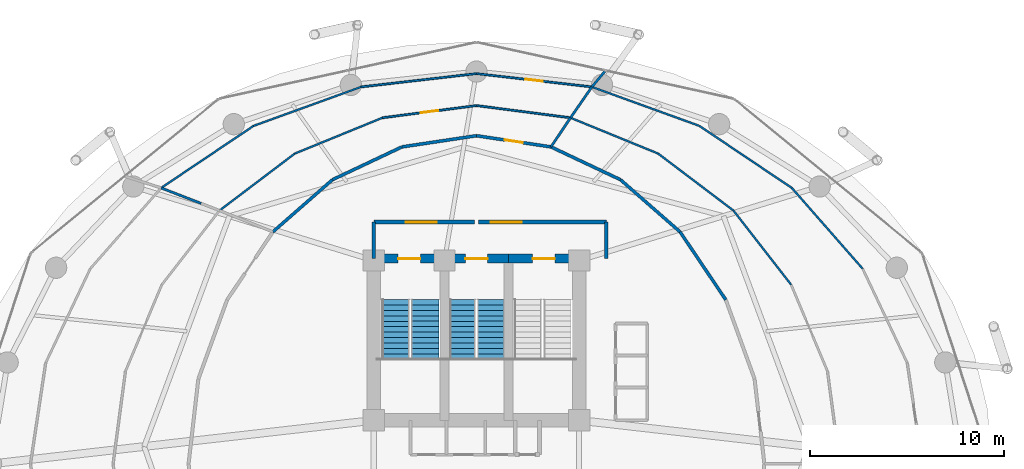
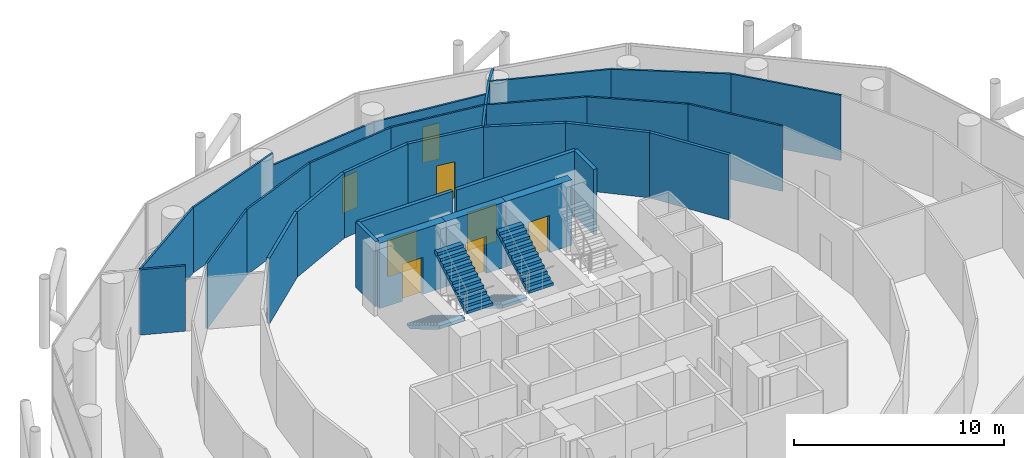
# One storey, part 24 of 26: 32 walls, 8 doors, 4 stair flights, 8 openings, 2 elements without a shape of their own.
"""IFC4 building model written with IfcOpenShell, lengths in metres."""

from ifc_helpers import new_model, si_unit, direction, frame, frame_2d, origin, place, context, subcontext, project, spatial, polyline, rectangle, outline, extrude, material, layer, layer_set, type_object, element, fill, aggregate, save


model = new_model("IFC4")

# Units and contexts
model_context = context("Model", 3, precision=1e-05, world=origin(), true_north=direction((0.0, 1.0)))
body_context = subcontext(model_context, "Body", "Model", "MODEL_VIEW")
ifc_project = project(units=[si_unit("LENGTHUNIT", "METRE"), si_unit("AREAUNIT", "SQUARE_METRE"), si_unit("VOLUMEUNIT", "CUBIC_METRE"), si_unit("PLANEANGLEUNIT", "RADIAN"), si_unit("MASSUNIT", "GRAM", prefix="KILO")], contexts=[model_context])

# Site, building, storey
site_placement = place(None, origin())
site = spatial("IfcSite", under=ifc_project, at=site_placement, CompositionType="ELEMENT")
building_placement = place(site_placement, origin())
building = spatial("IfcBuilding", under=site, at=building_placement, Name="Nuhasar Tower", CompositionType="ELEMENT")
storey_placement = place(building_placement, frame((0.0, 0.0, 97.949951171875)))
storey = spatial("IfcBuildingStorey", under=building, at=storey_placement, Name="L23", CompositionType="ELEMENT", Elevation=97.949951171875)

# Wall, opening, door
ifc_material_1 = material(Name="Concrete C50/60", Category="concrete")
ifc_layer_1 = layer(ifc_material_1, 0.449951171875)
ifc_layer_set_1 = layer_set([ifc_layer_1], Name="Concrete C50/60")
wall_type_1 = type_object("IfcWallType", Name="WL-CORE-450", PredefinedType="SHEAR", material=ifc_layer_set_1)
wall_1_placement = place(storey_placement, frame((37.35009765625, 37.39990234375, 0.0), z_axis=(0.0, 0.0, 1.0), x_axis=(-1.0, 0.0, 0.0)))
wall_1 = element("IfcWall", 1, at=wall_1_placement, inside=storey, type_object=wall_type_1, Name="L23 Stairwell Shear Wall ST01-N", PredefinedType="SHEAR", context=body_context, shape_type="SweptSolid", body=[
    extrude(rectangle(XDim=3.650146484375, YDim=0.449951171875, at=frame_2d((1.8251953125, 0.0))), origin(), (0.0, 0.0, 1.0), 3.800048828125),
])
opening_1_placement = place(wall_1_placement, frame((1.25, 0.0, 0.0)))
opening_1 = element("IfcOpeningElement", 2, at=opening_1_placement, cuts=wall_1, Name="Opening DS-01", PredefinedType="OPENING", context=body_context, shape_type="SweptSolid", body=[
    extrude(rectangle(XDim=1.14990234375, YDim=2.14990234375, at=frame_2d((0.574951171875, 1.074951171875))), frame((0.0, 0.23486328125, 0.0), z_axis=(0.0, -1.0, 0.0), x_axis=(1.0, 0.0, 0.0)), (0.0, 0.0, 1.0), 0.469970703125),
])
ifc_material_2 = material(Name="Steel S355", Category="steel")
door_type_1 = type_object("IfcDoorType", Name="DR-STAIR-FD120-1150", OperationType="NOTDEFINED", PredefinedType="DOOR", material=ifc_material_2)
door_1_placement = place(opening_1_placement, origin())
door_1 = element("IfcDoor", 3, at=door_1_placement, inside=storey, type_object=door_type_1, Name="L23 Exit Stair ST-01 Door", OperationType="SINGLE_SWING_RIGHT", OverallHeight=2.14990234375, OverallWidth=1.14990234375, PredefinedType="DOOR", context=body_context, shape_type="SweptSolid", body=[
    extrude(rectangle(XDim=1.14990234375, YDim=2.14990234375, at=frame_2d((0.574951171875, 1.074951171875))), frame((0.0, 0.02490234375, 0.0), z_axis=(0.0, -1.0, 0.0), x_axis=(1.0, 0.0, 0.0)), (0.0, 0.0, 1.0), 0.050048828125),
])
fill(opening_1, door_1)

wall_2_placement = place(storey_placement, frame((40.64990234375, 37.39990234375, 0.0), z_axis=(0.0, 0.0, 1.0), x_axis=(-1.0, 0.0, 0.0)))
wall_2 = element("IfcWall", 4, at=wall_2_placement, inside=storey, type_object=wall_type_1, Name="L23 Stairwell Shear Wall ST03-N", PredefinedType="SHEAR", context=body_context, shape_type="SweptSolid", body=[
    extrude(rectangle(XDim=3.2998046875, YDim=0.449951171875, at=frame_2d((1.64990234375, 0.0))), origin(), (0.0, 0.0, 1.0), 3.800048828125),
])
opening_2_placement = place(wall_2_placement, frame((1.074951171875, 0.0, 0.0)))
opening_2 = element("IfcOpeningElement", 5, at=opening_2_placement, cuts=wall_2, Name="Opening DS-01", PredefinedType="OPENING", context=body_context, shape_type="SweptSolid", body=[
    extrude(rectangle(XDim=1.14990234375, YDim=2.14990234375, at=frame_2d((0.574951171875, 1.074951171875))), frame((0.0, 0.23486328125, 0.0), z_axis=(0.0, -1.0, 0.0), x_axis=(1.0, 0.0, 0.0)), (0.0, 0.0, 1.0), 0.469970703125),
])
door_2_placement = place(opening_2_placement, origin())
door_2 = element("IfcDoor", 6, at=door_2_placement, inside=storey, type_object=door_type_1, Name="L23 Exit Stair ST-03 Door", OperationType="SINGLE_SWING_RIGHT", OverallHeight=2.14990234375, OverallWidth=1.14990234375, PredefinedType="DOOR", context=body_context, shape_type="SweptSolid", body=[
    extrude(rectangle(XDim=1.14990234375, YDim=2.14990234375, at=frame_2d((0.574951171875, 1.074951171875))), frame((0.0, 0.02490234375, 0.0), z_axis=(0.0, -1.0, 0.0), x_axis=(1.0, 0.0, 0.0)), (0.0, 0.0, 1.0), 0.050048828125),
])
fill(opening_2, door_2)

wall_3_placement = place(storey_placement, frame((44.300048828125, 37.39990234375, 0.0), z_axis=(0.0, 0.0, 1.0), x_axis=(-1.0, 0.0, 0.0)))
wall_3 = element("IfcWall", 7, at=wall_3_placement, inside=storey, type_object=wall_type_1, Name="L23 Stairwell Shear Wall ST02-N", PredefinedType="SHEAR", context=body_context, shape_type="SweptSolid", body=[
    extrude(rectangle(XDim=3.650146484375, YDim=0.449951171875, at=frame_2d((1.8251953125, 0.0))), origin(), (0.0, 0.0, 1.0), 3.800048828125),
])
opening_3_placement = place(wall_3_placement, frame((1.25, 0.0, 0.0)))
opening_3 = element("IfcOpeningElement", 8, at=opening_3_placement, cuts=wall_3, Name="Opening DS-01", PredefinedType="OPENING", context=body_context, shape_type="SweptSolid", body=[
    extrude(rectangle(XDim=1.14990234375, YDim=2.14990234375, at=frame_2d((0.574951171875, 1.074951171875))), frame((0.0, 0.23486328125, 0.0), z_axis=(0.0, -1.0, 0.0), x_axis=(1.0, 0.0, 0.0)), (0.0, 0.0, 1.0), 0.469970703125),
])
door_3_placement = place(opening_3_placement, origin())
door_3 = element("IfcDoor", 9, at=door_3_placement, inside=storey, type_object=door_type_1, Name="L23 Exit Stair ST-02 Door", OperationType="SINGLE_SWING_LEFT", OverallHeight=2.14990234375, OverallWidth=1.14990234375, PredefinedType="DOOR", context=body_context, shape_type="SweptSolid", body=[
    extrude(rectangle(XDim=1.14990234375, YDim=2.14990234375, at=frame_2d((0.574951171875, 1.074951171875))), frame((0.0, 0.02490234375, 0.0), z_axis=(0.0, -1.0, 0.0), x_axis=(1.0, 0.0, 0.0)), (0.0, 0.0, 1.0), 0.050048828125),
])
fill(opening_3, door_3)

# Walls
ifc_material_3 = material(Name="Gypsum Board", Category="gypsum")
ifc_layer_2 = layer(ifc_material_3, 0.159912109375)
ifc_layer_set_2 = layer_set([ifc_layer_2], Name="Gypsum Board")
wall_type_2 = type_object("IfcWallType", Name="WL-CORR-160", PredefinedType="PARTITIONING", material=ifc_layer_set_2)
wall_4_placement = place(storey_placement, frame((51.868896484375, 35.27001953125, 0.0), z_axis=(0.0, 0.0, 1.0), x_axis=(-0.558319056182, 0.829626320402, 0.0)))
element("IfcWall", 10, at=wall_4_placement, inside=storey, type_object=wall_type_2, Name="L23 Interior Partition CORR-04", PredefinedType="PARTITIONING", context=body_context, shape_type="SweptSolid", body=[
    extrude(rectangle(XDim=4.228515625, YDim=0.159912109375, at=frame_2d((2.1142578125, 0.0))), origin(), (0.0, 0.0, 1.0), 3.800048828125),
])
wall_5_placement = place(storey_placement, frame((49.508056640625, 38.778076171875, 0.0), z_axis=(0.0, 0.0, 1.0), x_axis=(-0.75275419575, 0.658301694348, 0.0)))
element("IfcWall", 11, at=wall_5_placement, inside=storey, type_object=wall_type_2, Name="L23 Interior Partition CORR-06", PredefinedType="PARTITIONING", context=body_context, shape_type="SweptSolid", body=[
    extrude(rectangle(XDim=4.089111328125, YDim=0.159912109375, at=frame_2d((2.04443359375, 0.0))), origin(), (0.0, 0.0, 1.0), 3.800048828125),
])
wall_6_placement = place(storey_placement, frame((46.429931640625, 41.469970703125, 0.0), z_axis=(0.0, 0.0, 1.0), x_axis=(-0.904182574226, 0.427146195658, 0.0)))
element("IfcWall", 12, at=wall_6_placement, inside=storey, type_object=wall_type_2, Name="L23 Interior Partition CORR-08", PredefinedType="PARTITIONING", context=body_context, shape_type="SweptSolid", body=[
    extrude(rectangle(XDim=3.9638671875, YDim=0.159912109375, at=frame_2d((1.98193359375, 0.0))), origin(), (0.0, 0.0, 1.0), 3.800048828125),
])

# Wall, opening, door
wall_7_placement = place(storey_placement, frame((39.0, 43.739990234375, 0.0), z_axis=(0.0, 0.0, 1.0), x_axis=(0.988935892392, -0.14834352274, 0.0)))
wall_7 = element("IfcWall", 13, at=wall_7_placement, inside=storey, type_object=wall_type_2, Name="L23 Interior Partition CORR-10", PredefinedType="PARTITIONING", context=body_context, shape_type="SweptSolid", body=[
    extrude(rectangle(XDim=3.888916015625, YDim=0.159912109375, at=frame_2d((1.9443359375, 0.0))), origin(), (0.0, 0.0, 1.0), 3.800048828125),
])
opening_4_placement = place(wall_7_placement, frame((1.469970703125, 0.0, 0.0)))
opening_4 = element("IfcOpeningElement", 14, at=opening_4_placement, cuts=wall_7, Name="Opening DO-01", PredefinedType="OPENING", context=body_context, shape_type="SweptSolid", body=[
    extrude(rectangle(XDim=0.949951171875, YDim=2.14990234375, at=frame_2d((0.47509765625, 1.074951171875))), frame((0.0, 0.08984375, 0.0), z_axis=(0.0, -1.0, 0.0), x_axis=(1.0, 0.0, 0.0)), (0.0, 0.0, 1.0), 0.179931640625),
])
ifc_material_4 = material(Name="Timber Oak", Category="wood")
door_type_2 = type_object("IfcDoorType", Name="DR-OFFICE-FD30-950", OperationType="NOTDEFINED", PredefinedType="DOOR", material=ifc_material_4)
door_4_placement = place(opening_4_placement, origin())
door_4 = element("IfcDoor", 15, at=door_4_placement, inside=storey, type_object=door_type_2, Name="L23 Executive Boardroom Entry Door", OperationType="SINGLE_SWING_RIGHT", OverallHeight=2.14990234375, OverallWidth=0.949951171875, PredefinedType="DOOR", context=body_context, shape_type="SweptSolid", body=[
    extrude(rectangle(XDim=0.949951171875, YDim=2.14990234375, at=frame_2d((0.47509765625, 1.074951171875))), frame((0.0, 0.02490234375, 0.0), z_axis=(0.0, -1.0, 0.0), x_axis=(1.0, 0.0, 0.0)), (0.0, 0.0, 1.0), 0.050048828125),
])
fill(opening_4, door_4)

# Walls
wall_8_placement = place(storey_placement, frame((39.0, 43.739990234375, 0.0), z_axis=(0.0, 0.0, 1.0), x_axis=(-0.988935892392, -0.14834352274, 0.0)))
element("IfcWall", 16, at=wall_8_placement, inside=storey, type_object=wall_type_2, Name="L23 Interior Partition CORR-12", PredefinedType="PARTITIONING", context=body_context, shape_type="SweptSolid", body=[
    extrude(rectangle(XDim=3.888916015625, YDim=0.159912109375, at=frame_2d((1.9443359375, 0.0))), origin(), (0.0, 0.0, 1.0), 3.800048828125),
])
wall_9_placement = place(storey_placement, frame((35.154052734375, 43.1630859375, 0.0), z_axis=(0.0, 0.0, 1.0), x_axis=(-0.904182574226, -0.427146195658, 0.0)))
element("IfcWall", 17, at=wall_9_placement, inside=storey, type_object=wall_type_2, Name="L23 Interior Partition CORR-14", PredefinedType="PARTITIONING", context=body_context, shape_type="SweptSolid", body=[
    extrude(rectangle(XDim=3.9638671875, YDim=0.159912109375, at=frame_2d((1.98193359375, 0.0))), origin(), (0.0, 0.0, 1.0), 3.800048828125),
])
wall_10_placement = place(storey_placement, frame((31.570068359375, 41.469970703125, 0.0), z_axis=(0.0, 0.0, 1.0), x_axis=(-0.75275419575, -0.658301694348, 0.0)))
element("IfcWall", 18, at=wall_10_placement, inside=storey, type_object=wall_type_2, Name="L23 Interior Partition CORR-16", PredefinedType="PARTITIONING", context=body_context, shape_type="SweptSolid", body=[
    extrude(rectangle(XDim=4.089111328125, YDim=0.159912109375, at=frame_2d((2.04443359375, 0.0))), origin(), (0.0, 0.0, 1.0), 3.800048828125),
])
ifc_material_5 = material(Name="Concrete C45/55", Category="concrete")
ifc_layer_3 = layer(ifc_material_5, 0.199951171875)
ifc_layer_set_3 = layer_set([ifc_layer_3], Name="Concrete C45/55")
wall_type_3 = type_object("IfcWallType", Name="WL-LOBBY-200", PredefinedType="SOLIDWALL", material=ifc_layer_set_3)
for number, where, z_axis, x_axis, name in (
    (19, (33.699951171875, 37.39990234375, 0.0), (0.0, 0.0, 1.0), (0.0, 1.0, 0.0), "L23 Interior Partition NSL-W"),
    (20, (45.699951171875, 37.39990234375, 0.0), (0.0, 0.0, 1.0), (0.0, 1.0, 0.0), "L23 Interior Partition NSL-E"),
):
    element("IfcWall", number, at=place(storey_placement, frame(where, z_axis=z_axis, x_axis=x_axis)), inside=storey, type_object=wall_type_3, Name=name, PredefinedType="SOLIDWALL", context=body_context, shape_type="SweptSolid", body=[
        extrude(rectangle(XDim=1.880126953125, YDim=0.199951171875, at=frame_2d((0.93994140625, 0.0))), origin(), (0.0, 0.0, 1.0), 3.800048828125),
    ])

# Wall, opening, door
wall_11_placement = place(storey_placement, frame((38.89990234375, 39.280029296875, 0.0), z_axis=(0.0, 0.0, 1.0), x_axis=(-1.0, 0.0, 0.0)))
wall_11 = element("IfcWall", 21, at=wall_11_placement, inside=storey, type_object=wall_type_3, Name="L23 Interior Partition NSL-N1", PredefinedType="SOLIDWALL", context=body_context, shape_type="SweptSolid", body=[
    extrude(rectangle(XDim=5.199951171875, YDim=0.199951171875, at=frame_2d((2.60009765625, 0.0))), origin(), (0.0, 0.0, 1.0), 3.800048828125),
])
opening_5_placement = place(wall_11_placement, frame((1.949951171875, 0.0, 0.0)))
opening_5 = element("IfcOpeningElement", 22, at=opening_5_placement, cuts=wall_11, Name="Opening DC-01", PredefinedType="OPENING", context=body_context, shape_type="SweptSolid", body=[
    extrude(rectangle(XDim=1.60009765625, YDim=2.199951171875, at=frame_2d((0.800048828125, 1.10009765625))), frame((0.0, 0.10986328125, 0.0), z_axis=(0.0, -1.0, 0.0), x_axis=(1.0, 0.0, 0.0)), (0.0, 0.0, 1.0), 0.219970703125),
])
door_type_3 = type_object("IfcDoorType", Name="DR-CORR-FD60-1600", OperationType="DOUBLE_DOOR_SINGLE_SWING", PredefinedType="DOOR", material=ifc_material_2)
door_5_placement = place(opening_5_placement, origin())
door_5 = element("IfcDoor", 23, at=door_5_placement, inside=storey, type_object=door_type_3, Name="L23 North Stair Lobby West Door", OperationType="DOUBLE_DOOR_SINGLE_SWING", OverallHeight=2.199951171875, OverallWidth=1.60009765625, PredefinedType="DOOR", context=body_context, shape_type="SweptSolid", body=[
    extrude(rectangle(XDim=1.60009765625, YDim=2.199951171875, at=frame_2d((0.800048828125, 1.10009765625))), frame((0.0, 0.02490234375, 0.0), z_axis=(0.0, -1.0, 0.0), x_axis=(1.0, 0.0, 0.0)), (0.0, 0.0, 1.0), 0.050048828125),
])
fill(opening_5, door_5)

wall_12_placement = place(storey_placement, frame((45.699951171875, 39.280029296875, 0.0), z_axis=(0.0, 0.0, 1.0), x_axis=(-1.0, 0.0, 0.0)))
wall_12 = element("IfcWall", 24, at=wall_12_placement, inside=storey, type_object=wall_type_3, Name="L23 Interior Partition NSL-N2", PredefinedType="SOLIDWALL", context=body_context, shape_type="SweptSolid", body=[
    extrude(rectangle(XDim=6.599853515625, YDim=0.199951171875, at=frame_2d((3.2998046875, 0.0))), origin(), (0.0, 0.0, 1.0), 3.800048828125),
])
opening_6_placement = place(wall_12_placement, frame((4.35009765625, 0.0, 0.0)))
opening_6 = element("IfcOpeningElement", 25, at=opening_6_placement, cuts=wall_12, Name="Opening DC-01", PredefinedType="OPENING", context=body_context, shape_type="SweptSolid", body=[
    extrude(rectangle(XDim=1.60009765625, YDim=2.199951171875, at=frame_2d((0.800048828125, 1.10009765625))), frame((0.0, 0.10986328125, 0.0), z_axis=(0.0, -1.0, 0.0), x_axis=(1.0, 0.0, 0.0)), (0.0, 0.0, 1.0), 0.219970703125),
])
door_6_placement = place(opening_6_placement, origin())
door_6 = element("IfcDoor", 26, at=door_6_placement, inside=storey, type_object=door_type_3, Name="L23 North Stair Lobby East Door", OperationType="DOUBLE_DOOR_SINGLE_SWING", OverallHeight=2.199951171875, OverallWidth=1.60009765625, PredefinedType="DOOR", context=body_context, shape_type="SweptSolid", body=[
    extrude(rectangle(XDim=1.60009765625, YDim=2.199951171875, at=frame_2d((0.800048828125, 1.10009765625))), frame((0.0, 0.02490234375, 0.0), z_axis=(0.0, -1.0, 0.0), x_axis=(1.0, 0.0, 0.0)), (0.0, 0.0, 1.0), 0.050048828125),
])
fill(opening_6, door_6)

# Walls
ifc_material_6 = material(Name="Aluminium 6063-T6", Category="aluminium")
ifc_layer_4 = layer(ifc_material_6, 0.10009765625)
ifc_layer_set_4 = layer_set([ifc_layer_4], Name="Aluminium 6063-T6")
wall_type_4 = type_object("IfcWallType", Name="WL-MOVABLE-100", PredefinedType="MOVABLE", material=ifc_layer_set_4)
wall_13_placement = place(storey_placement, frame((55.241943359375, 36.048095703125, 0.0), z_axis=(0.0, 0.0, 1.0), x_axis=(-0.613999814684, 0.789306168459, 0.0)))
element("IfcWall", 27, at=wall_13_placement, inside=storey, type_object=wall_type_4, Name="L23 Interior Partition OR1-01-04", PredefinedType="MOVABLE", context=body_context, shape_type="SweptSolid", body=[
    extrude(rectangle(XDim=4.853271484375, YDim=0.10009765625, at=frame_2d((2.4267578125, 0.0))), origin(), (0.0, 0.0, 1.0), 3.800048828125),
])
wall_14_placement = place(storey_placement, frame((52.261962890625, 39.87890625, 0.0), z_axis=(0.0, 0.0, 1.0), x_axis=(-0.797485241188, 0.60333845401, 0.0)))
element("IfcWall", 28, at=wall_14_placement, inside=storey, type_object=wall_type_4, Name="L23 Interior Partition OR1-01-06", PredefinedType="MOVABLE", context=body_context, shape_type="SweptSolid", body=[
    extrude(rectangle(XDim=4.87158203125, YDim=0.10009765625, at=frame_2d((2.435791015625, 0.0))), origin(), (0.0, 0.0, 1.0), 3.800048828125),
])
wall_15_placement = place(storey_placement, frame((48.376953125, 42.818115234375, 0.0), z_axis=(0.0, 0.0, 1.0), x_axis=(-0.925718788243, 0.378212539577, 0.0)))
element("IfcWall", 29, at=wall_15_placement, inside=storey, type_object=wall_type_4, Name="L23 Interior Partition OR1-01-08", PredefinedType="MOVABLE", context=body_context, shape_type="SweptSolid", body=[
    extrude(rectangle(XDim=4.885986328125, YDim=0.10009765625, at=frame_2d((2.44287109375, 0.0))), origin(), (0.0, 0.0, 1.0), 3.800048828125),
])
wall_16_placement = place(storey_placement, frame((58.93408203125, 36.873046875, 0.0), z_axis=(0.0, 0.0, 1.0), x_axis=(-0.659301696391, 0.751878496258, 0.0)))
element("IfcWall", 30, at=wall_16_placement, inside=storey, type_object=wall_type_4, Name="L23 Interior Partition OR2-01-04", PredefinedType="MOVABLE", context=body_context, shape_type="SweptSolid", body=[
    extrude(rectangle(XDim=5.548583984375, YDim=0.10009765625, at=frame_2d((2.7744140625, 0.0))), origin(), (0.0, 0.0, 1.0), 3.800048828125),
])
wall_17_placement = place(storey_placement, frame((55.27587890625, 41.044921875, 0.0), z_axis=(0.0, 0.0, 1.0), x_axis=(-0.830174745772, 0.557503265893, 0.0)))
element("IfcWall", 31, at=wall_17_placement, inside=storey, type_object=wall_type_4, Name="L23 Interior Partition OR2-01-06", PredefinedType="MOVABLE", context=body_context, shape_type="SweptSolid", body=[
    extrude(rectangle(XDim=5.741943359375, YDim=0.10009765625, at=frame_2d((2.87109375, 0.0))), origin(), (0.0, 0.0, 1.0), 3.800048828125),
])
wall_18_placement = place(storey_placement, frame((50.509033203125, 44.24609375, 0.0), z_axis=(0.0, 0.0, 1.0), x_axis=(-0.940117685929, 0.340850020689, 0.0)))
element("IfcWall", 32, at=wall_18_placement, inside=storey, type_object=wall_type_4, Name="L23 Interior Partition OR2-01-08", PredefinedType="MOVABLE", context=body_context, shape_type="SweptSolid", body=[
    extrude(rectangle(XDim=5.90576171875, YDim=0.10009765625, at=frame_2d((2.952880859375, 0.0))), origin(), (0.0, 0.0, 1.0), 3.800048828125),
])
wall_19_placement = place(storey_placement, frame((43.85400390625, 44.666015625, 0.0), z_axis=(0.0, 0.0, 1.0), x_axis=(-0.991685305255, 0.128686655646, 0.0)))
element("IfcWall", 33, at=wall_19_placement, inside=storey, type_object=wall_type_4, Name="L23 Interior Partition OR1-02-10", PredefinedType="MOVABLE", context=body_context, shape_type="SweptSolid", body=[
    extrude(rectangle(XDim=4.894775390625, YDim=0.10009765625, at=frame_2d((2.447265625, 0.0))), origin(), (0.0, 0.0, 1.0), 3.800048828125),
])

# Wall, opening, door
wall_20_placement = place(storey_placement, frame((39.0, 45.2958984375, 0.0), z_axis=(0.0, 0.0, 1.0), x_axis=(-0.991685305255, -0.128686655646, 0.0)))
wall_20 = element("IfcWall", 34, at=wall_20_placement, inside=storey, type_object=wall_type_4, Name="L23 Interior Partition OR1-02-12", PredefinedType="MOVABLE", context=body_context, shape_type="SweptSolid", body=[
    extrude(rectangle(XDim=4.894775390625, YDim=0.10009765625, at=frame_2d((2.447265625, 0.0))), origin(), (0.0, 0.0, 1.0), 3.800048828125),
])
opening_7_placement = place(wall_20_placement, frame((1.9970703125, 0.0, 0.0)))
opening_7 = element("IfcOpeningElement", 35, at=opening_7_placement, cuts=wall_20, Name="Opening DR-01", PredefinedType="OPENING", context=body_context, shape_type="SweptSolid", body=[
    extrude(rectangle(XDim=0.89990234375, YDim=2.10009765625, at=frame_2d((0.449951171875, 1.050048828125))), frame((0.0, 0.06005859375, 0.0), z_axis=(0.0, -1.0, 0.0), x_axis=(1.0, 0.0, 0.0)), (0.0, 0.0, 1.0), 0.1201171875),
])
door_type_4 = type_object("IfcDoorType", Name="DR-ROOM-900", OperationType="NOTDEFINED", PredefinedType="DOOR", material=ifc_material_4)
door_7_placement = place(opening_7_placement, origin())
door_7 = element("IfcDoor", 36, at=door_7_placement, inside=storey, type_object=door_type_4, Name="L23 Executive Boardroom Mid Door", OperationType="SINGLE_SWING_RIGHT", OverallHeight=2.10009765625, OverallWidth=0.89990234375, PredefinedType="DOOR", context=body_context, shape_type="SweptSolid", body=[
    extrude(rectangle(XDim=0.89990234375, YDim=2.10009765625, at=frame_2d((0.449951171875, 1.050048828125))), frame((0.0, 0.02490234375, 0.0), z_axis=(0.0, -1.0, 0.0), x_axis=(1.0, 0.0, 0.0)), (0.0, 0.0, 1.0), 0.050048828125),
])
fill(opening_7, door_7)

# Walls
wall_21_placement = place(storey_placement, frame((34.14599609375, 44.666015625, 0.0), z_axis=(0.0, 0.0, 1.0), x_axis=(-0.925718788243, -0.378212539577, 0.0)))
element("IfcWall", 37, at=wall_21_placement, inside=storey, type_object=wall_type_4, Name="L23 Interior Partition OR1-02-14", PredefinedType="MOVABLE", context=body_context, shape_type="SweptSolid", body=[
    extrude(rectangle(XDim=4.885986328125, YDim=0.10009765625, at=frame_2d((2.44287109375, 0.0))), origin(), (0.0, 0.0, 1.0), 3.800048828125),
])
wall_22_placement = place(storey_placement, frame((29.623046875, 42.818115234375, 0.0), z_axis=(0.0, 0.0, 1.0), x_axis=(-0.797485241188, -0.60333845401, 0.0)))
element("IfcWall", 38, at=wall_22_placement, inside=storey, type_object=wall_type_4, Name="L23 Interior Partition OR1-02-16", PredefinedType="MOVABLE", context=body_context, shape_type="SweptSolid", body=[
    extrude(rectangle(XDim=4.87158203125, YDim=0.10009765625, at=frame_2d((2.435791015625, 0.0))), origin(), (0.0, 0.0, 1.0), 3.800048828125),
])

# Wall, opening, door
wall_23_placement = place(storey_placement, frame((44.95703125, 46.259033203125, 0.0), z_axis=(0.0, 0.0, 1.0), x_axis=(-0.993433875949, 0.114407753747, 0.0)))
wall_23 = element("IfcWall", 39, at=wall_23_placement, inside=storey, type_object=wall_type_4, Name="L23 Interior Partition OR2-02-10", PredefinedType="MOVABLE", context=body_context, shape_type="SweptSolid", body=[
    extrude(rectangle(XDim=5.996337890625, YDim=0.10009765625, at=frame_2d((2.998046875, 0.0))), origin(), (0.0, 0.0, 1.0), 3.10498046875),
])
opening_8_placement = place(wall_23_placement, frame((2.548095703125, 0.0, 0.0)))
opening_8 = element("IfcOpeningElement", 40, at=opening_8_placement, cuts=wall_23, Name="Opening DR-01", PredefinedType="OPENING", context=body_context, shape_type="SweptSolid", body=[
    extrude(rectangle(XDim=0.89990234375, YDim=2.10009765625, at=frame_2d((0.449951171875, 1.050048828125))), frame((0.0, 0.06005859375, 0.0), z_axis=(0.0, -1.0, 0.0), x_axis=(1.0, 0.0, 0.0)), (0.0, 0.0, 1.0), 0.1201171875),
])
door_8_placement = place(opening_8_placement, origin())
door_8 = element("IfcDoor", 41, at=door_8_placement, inside=storey, type_object=door_type_4, Name="L23 Executive Boardroom Outer Door", OperationType="SINGLE_SWING_LEFT", OverallHeight=2.10009765625, OverallWidth=0.89990234375, PredefinedType="DOOR", context=body_context, shape_type="SweptSolid", body=[
    extrude(rectangle(XDim=0.89990234375, YDim=2.10009765625, at=frame_2d((0.449951171875, 1.050048828125))), frame((0.0, 0.02490234375, 0.0), z_axis=(0.0, -1.0, 0.0), x_axis=(1.0, 0.0, 0.0)), (0.0, 0.0, 1.0), 0.050048828125),
])
fill(opening_8, door_8)

# Walls
wall_24_placement = place(storey_placement, frame((39.0, 46.945068359375, 0.0), z_axis=(0.0, 0.0, 1.0), x_axis=(-0.993433875949, -0.114407753747, 0.0)))
element("IfcWall", 42, at=wall_24_placement, inside=storey, type_object=wall_type_4, Name="L23 Interior Partition OR2-02-12", PredefinedType="MOVABLE", context=body_context, shape_type="SweptSolid", body=[
    extrude(rectangle(XDim=5.996337890625, YDim=0.10009765625, at=frame_2d((2.998046875, 0.0))), origin(), (0.0, 0.0, 1.0), 3.10498046875),
])
wall_25_placement = place(storey_placement, frame((33.04296875, 46.259033203125, 0.0), z_axis=(0.0, 0.0, 1.0), x_axis=(-0.940117685929, -0.340850020689, 0.0)))
element("IfcWall", 43, at=wall_25_placement, inside=storey, type_object=wall_type_4, Name="L23 Interior Partition OR2-02-14", PredefinedType="MOVABLE", context=body_context, shape_type="SweptSolid", body=[
    extrude(rectangle(XDim=5.90576171875, YDim=0.10009765625, at=frame_2d((2.952880859375, 0.0))), origin(), (0.0, 0.0, 1.0), 3.800048828125),
])
wall_26_placement = place(storey_placement, frame((27.490966796875, 44.24609375, 0.0), z_axis=(0.0, 0.0, 1.0), x_axis=(-0.830174745772, -0.557503265893, 0.0)))
element("IfcWall", 44, at=wall_26_placement, inside=storey, type_object=wall_type_4, Name="L23 Interior Partition OR2-02-16", PredefinedType="MOVABLE", context=body_context, shape_type="SweptSolid", body=[
    extrude(rectangle(XDim=5.741943359375, YDim=0.10009765625, at=frame_2d((2.87109375, 0.0))), origin(), (0.0, 0.0, 1.0), 3.800048828125),
])
ifc_layer_5 = layer(ifc_material_3, 0.125)
ifc_layer_set_5 = layer_set([ifc_layer_5], Name="Gypsum Board")
wall_type_5 = type_object("IfcWallType", Name="WL-PART-125", PredefinedType="PARTITIONING", material=ifc_layer_set_5)
wall_27_placement = place(storey_placement, frame((42.845947265625, 43.1630859375, 0.0), z_axis=(0.0, 0.0, 1.0), x_axis=(0.557032949089, 0.83049039346, 0.0)))
element("IfcWall", 45, at=wall_27_placement, inside=storey, type_object=wall_type_5, Name="L23 Interior Partition ORAD7-10-S1", PredefinedType="PARTITIONING", context=body_context, shape_type="SweptSolid", body=[
    extrude(rectangle(XDim=1.8095703125, YDim=0.125, at=frame_2d((0.90478515625, 0.0))), origin(), (0.0, 0.0, 1.0), 3.800048828125),
])
wall_28_placement = place(storey_placement, frame((43.85400390625, 44.666015625, 0.0), z_axis=(0.0, 0.0, 1.0), x_axis=(0.569268945464, 0.822151365461, 0.0)))
element("IfcWall", 46, at=wall_28_placement, inside=storey, type_object=wall_type_5, Name="L23 Interior Partition ORAD7-10-S2", PredefinedType="PARTITIONING", context=body_context, shape_type="SweptSolid", body=[
    extrude(rectangle(XDim=1.9375, YDim=0.125, at=frame_2d((0.96875, 0.0))), origin(), (0.0, 0.0, 1.0), 3.800048828125),
])
wall_29_placement = place(storey_placement, frame((44.95703125, 46.259033203125, 0.0), z_axis=(0.0, 0.0, 1.0), x_axis=(0.640184399664, 0.768221279597, 0.0)))
element("IfcWall", 47, at=wall_29_placement, inside=storey, type_object=wall_type_5, Name="L23 Interior Partition ORAD7-10-S3", PredefinedType="PARTITIONING", context=body_context, shape_type="SweptSolid", body=[
    extrude(rectangle(XDim=1.054443359375, YDim=0.125, at=frame_2d((0.52734375, 0.0))), origin(), (0.0, 0.0, 1.0), 3.800048828125),
])
wall_30_placement = place(storey_placement, frame((24.791015625, 40.2451171875, 0.0), z_axis=(0.0, 0.0, 1.0), x_axis=(-0.932611158557, 0.360882843779, 0.0)))
element("IfcWall", 48, at=wall_30_placement, inside=storey, type_object=wall_type_5, Name="L23 Interior Partition ORAD7-18-S2", PredefinedType="PARTITIONING", context=body_context, shape_type="SweptSolid", body=[
    extrude(rectangle(XDim=2.21630859375, YDim=0.125, at=frame_2d((1.108154296875, 0.0))), origin(), (0.0, 0.0, 1.0), 3.800048828125),
])

# Stair, stair flights
stair_type_1 = type_object("IfcStairType", Name="STR-ST-01-2F-24R-1688", PredefinedType="HALF_TURN_STAIR", material=ifc_material_5)
stair_1_placement = place(storey_placement, origin())
stair_1 = element("IfcStair", 49, at=stair_1_placement, inside=storey, type_object=stair_type_1, Name="L23 Exit Stair ST-01", PredefinedType="HALF_TURN_STAIR")
stair_flight_type_1 = type_object("IfcStairFlightType", Name="SFL-ST-01-12R-1688", PredefinedType="STRAIGHT", material=ifc_material_5)
stair_flight_1_placement = place(storey_placement, frame((34.830078125, 35.284912109375, 0.0), z_axis=(0.0, 0.0, 1.0), x_axis=(0.0, -1.0, 0.0)))
stair_flight_1 = element("IfcStairFlight", 50, at=stair_flight_1_placement, type_object=stair_flight_type_1, Name="ST-01 flight 1", NumberOfRisers=12, NumberOfTreads=11, PredefinedType="STRAIGHT", RiserHeight=0.16875, TreadLength=0.28, context=body_context, shape_type="SweptSolid", body=[
    extrude(outline(polyline([(0.0, 0.0), (0.0, 0.168701171875), (0.280029296875, 0.168701171875), (0.280029296875, 0.33740234375), (0.56005859375, 0.33740234375), (0.56005859375, 0.50634765625), (0.840087890625, 0.50634765625), (0.840087890625, 0.675048828125), (1.1201171875, 0.675048828125), (1.1201171875, 0.84375), (1.39990234375, 0.84375), (1.39990234375, 1.012451171875), (1.679931640625, 1.012451171875), (1.679931640625, 1.18115234375), (1.9599609375, 1.18115234375), (1.9599609375, 1.35009765625), (2.239990234375, 1.35009765625), (2.239990234375, 1.518798828125), (2.52001953125, 1.518798828125), (2.52001953125, 1.6875), (2.800048828125, 1.6875), (2.800048828125, 1.856201171875), (3.080078125, 1.856201171875), (3.080078125, 2.02490234375), (3.080078125, 1.66943359375), (0.309814453125, 0.0), (0.0, 0.0)])), frame((0.0, 0.7099609375, 0.0), z_axis=(0.0, -1.0, 0.0), x_axis=(1.0, 0.0, 0.0)), (0.0, 0.0, 1.0), 1.419921875),
])
stair_flight_2_placement = place(storey_placement, frame((36.35009765625, 32.205078125, 2.025146484375), z_axis=(0.0, 0.0, 1.0), x_axis=(0.0, 1.0, 0.0)))
stair_flight_2 = element("IfcStairFlight", 51, at=stair_flight_2_placement, type_object=stair_flight_type_1, Name="ST-01 flight 2", NumberOfRisers=12, NumberOfTreads=11, PredefinedType="STRAIGHT", RiserHeight=0.16875, TreadLength=0.28, context=body_context, shape_type="SweptSolid", body=[
    extrude(outline(polyline([(0.0, 0.0), (0.0, 0.168701171875), (0.280029296875, 0.168701171875), (0.280029296875, 0.33740234375), (0.56005859375, 0.33740234375), (0.56005859375, 0.50634765625), (0.840087890625, 0.50634765625), (0.840087890625, 0.675048828125), (1.1201171875, 0.675048828125), (1.1201171875, 0.84375), (1.39990234375, 0.84375), (1.39990234375, 1.012451171875), (1.679931640625, 1.012451171875), (1.679931640625, 1.18115234375), (1.9599609375, 1.18115234375), (1.9599609375, 1.35009765625), (2.239990234375, 1.35009765625), (2.239990234375, 1.518798828125), (2.52001953125, 1.518798828125), (2.52001953125, 1.6875), (2.800048828125, 1.6875), (2.800048828125, 1.856201171875), (3.080078125, 1.856201171875), (3.080078125, 2.02490234375), (3.080078125, 1.66943359375), (0.309814453125, 0.0), (0.0, 0.0)])), frame((0.0, 0.7099609375, 0.0), z_axis=(0.0, -1.0, 0.0), x_axis=(1.0, 0.0, 0.0)), (0.0, 0.0, 1.0), 1.419921875),
])
aggregate(stair_1, [stair_flight_1, stair_flight_2])

stair_type_2 = type_object("IfcStairType", Name="STR-ST-03-2F-24R-1688", PredefinedType="HALF_TURN_STAIR", material=ifc_material_5)
stair_2_placement = place(storey_placement, origin())
stair_2 = element("IfcStair", 52, at=stair_2_placement, inside=storey, type_object=stair_type_2, Name="L23 Exit Stair ST-03", PredefinedType="HALF_TURN_STAIR")
stair_flight_type_2 = type_object("IfcStairFlightType", Name="SFL-ST-03-12R-1688", PredefinedType="STRAIGHT", material=ifc_material_5)
stair_flight_3_placement = place(storey_placement, frame((38.280029296875, 35.284912109375, 0.0), z_axis=(0.0, 0.0, 1.0), x_axis=(0.0, -1.0, 0.0)))
stair_flight_3 = element("IfcStairFlight", 53, at=stair_flight_3_placement, type_object=stair_flight_type_2, Name="ST-03 flight 1", NumberOfRisers=12, NumberOfTreads=11, PredefinedType="STRAIGHT", RiserHeight=0.16875, TreadLength=0.28, context=body_context, shape_type="SweptSolid", body=[
    extrude(outline(polyline([(0.0, 0.0), (0.0, 0.168701171875), (0.280029296875, 0.168701171875), (0.280029296875, 0.33740234375), (0.56005859375, 0.33740234375), (0.56005859375, 0.50634765625), (0.840087890625, 0.50634765625), (0.840087890625, 0.675048828125), (1.1201171875, 0.675048828125), (1.1201171875, 0.84375), (1.39990234375, 0.84375), (1.39990234375, 1.012451171875), (1.679931640625, 1.012451171875), (1.679931640625, 1.18115234375), (1.9599609375, 1.18115234375), (1.9599609375, 1.35009765625), (2.239990234375, 1.35009765625), (2.239990234375, 1.518798828125), (2.52001953125, 1.518798828125), (2.52001953125, 1.6875), (2.800048828125, 1.6875), (2.800048828125, 1.856201171875), (3.080078125, 1.856201171875), (3.080078125, 2.02490234375), (3.080078125, 1.66943359375), (0.309814453125, 0.0), (0.0, 0.0)])), frame((0.0, 0.669921875, 0.0), z_axis=(0.0, -1.0, 0.0), x_axis=(1.0, 0.0, 0.0)), (0.0, 0.0, 1.0), 1.340087890625),
])
stair_flight_4_placement = place(storey_placement, frame((39.719970703125, 32.205078125, 2.025146484375), z_axis=(0.0, 0.0, 1.0), x_axis=(0.0, 1.0, 0.0)))
stair_flight_4 = element("IfcStairFlight", 54, at=stair_flight_4_placement, type_object=stair_flight_type_2, Name="ST-03 flight 2", NumberOfRisers=12, NumberOfTreads=11, PredefinedType="STRAIGHT", RiserHeight=0.16875, TreadLength=0.28, context=body_context, shape_type="SweptSolid", body=[
    extrude(outline(polyline([(0.0, 0.0), (0.0, 0.168701171875), (0.280029296875, 0.168701171875), (0.280029296875, 0.33740234375), (0.56005859375, 0.33740234375), (0.56005859375, 0.50634765625), (0.840087890625, 0.50634765625), (0.840087890625, 0.675048828125), (1.1201171875, 0.675048828125), (1.1201171875, 0.84375), (1.39990234375, 0.84375), (1.39990234375, 1.012451171875), (1.679931640625, 1.012451171875), (1.679931640625, 1.18115234375), (1.9599609375, 1.18115234375), (1.9599609375, 1.35009765625), (2.239990234375, 1.35009765625), (2.239990234375, 1.518798828125), (2.52001953125, 1.518798828125), (2.52001953125, 1.6875), (2.800048828125, 1.6875), (2.800048828125, 1.856201171875), (3.080078125, 1.856201171875), (3.080078125, 2.02490234375), (3.080078125, 1.66943359375), (0.309814453125, 0.0), (0.0, 0.0)])), frame((0.0, 0.669921875, 0.0), z_axis=(0.0, -1.0, 0.0), x_axis=(1.0, 0.0, 0.0)), (0.0, 0.0, 1.0), 1.340087890625),
])
aggregate(stair_2, [stair_flight_3, stair_flight_4])

save(model, "model.ifc")
